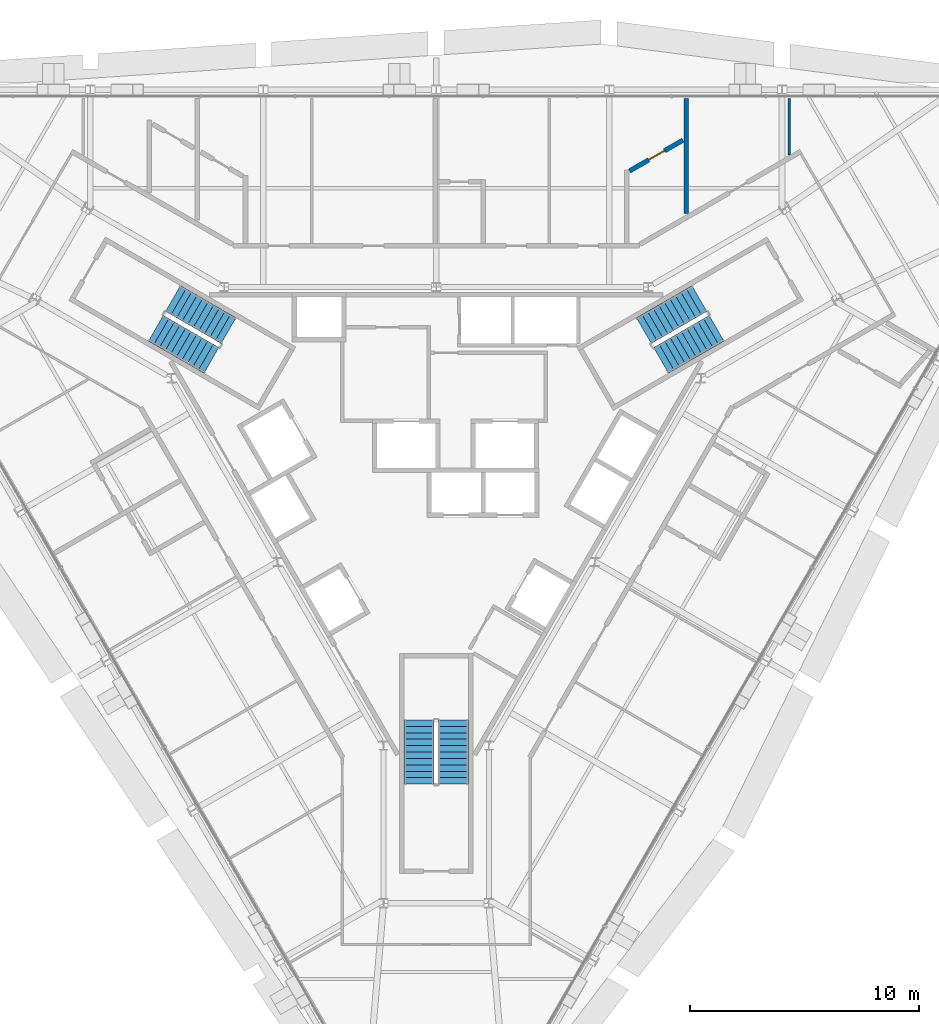
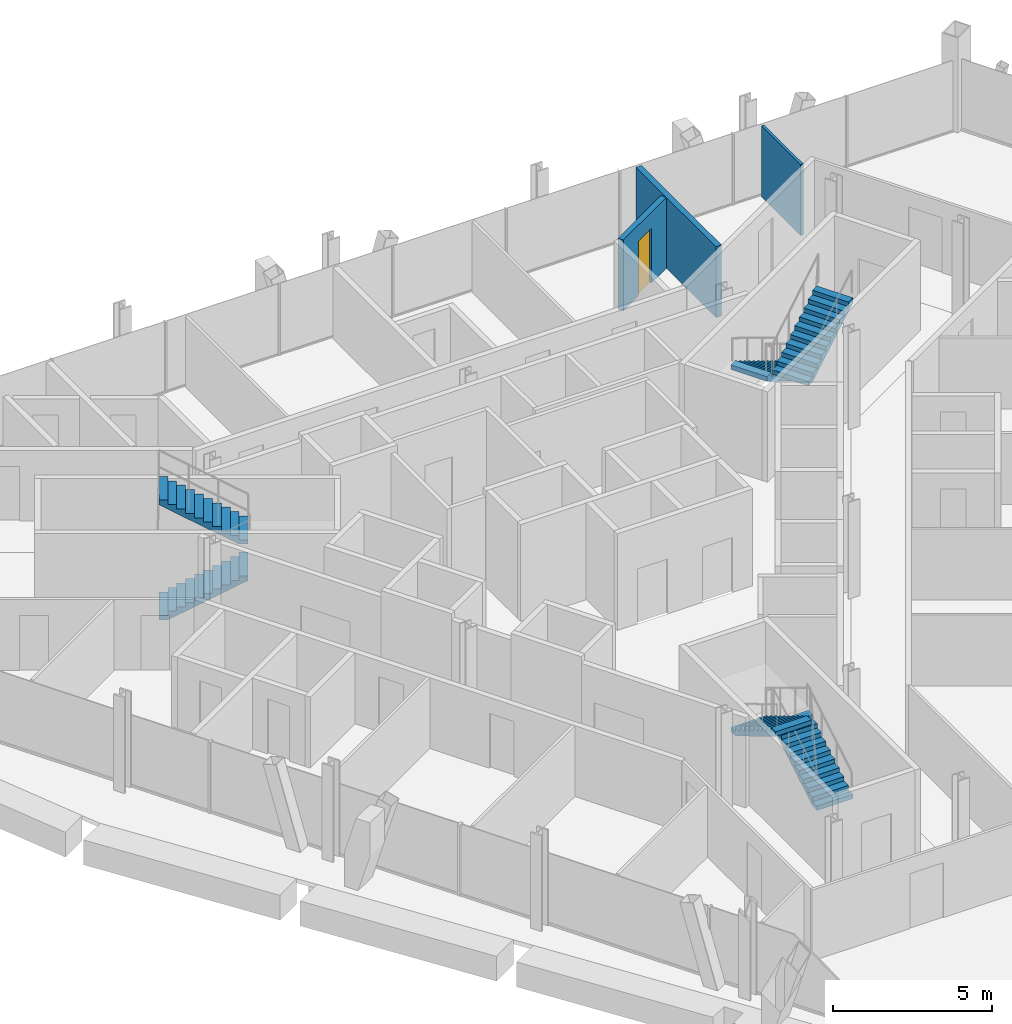
# One storey, part 12 of 13: 6 stair flights, 3 walls, 1 door, 1 opening, 3 elements without a shape of their own.
"""IFC4 building model written with IfcOpenShell, lengths in metres."""

from ifc_helpers import new_model, si_unit, direction, frame, frame_2d, origin, place, context, subcontext, project, spatial, polyline, rectangle, outline, extrude, material, layer, layer_set, type_object, element, fill, aggregate, save


model = new_model("IFC4")

# Units and contexts
model_context = context("Model", 3, precision=1e-05, world=origin(), true_north=direction((0.0, 1.0)))
body_context = subcontext(model_context, "Body", "Model", "MODEL_VIEW")
ifc_project = project(units=[si_unit("LENGTHUNIT", "METRE"), si_unit("AREAUNIT", "SQUARE_METRE"), si_unit("VOLUMEUNIT", "CUBIC_METRE"), si_unit("PLANEANGLEUNIT", "RADIAN"), si_unit("MASSUNIT", "GRAM", prefix="KILO")], contexts=[model_context])

# Site, building, storey
site_placement = place(None, origin())
site = spatial("IfcSite", under=ifc_project, at=site_placement, CompositionType="ELEMENT")
building_placement = place(site_placement, origin())
building = spatial("IfcBuilding", under=site, at=building_placement, Name="Verrane Prism Tower", CompositionType="ELEMENT")
storey_placement = place(building_placement, frame((0.0, 0.0, 152.5)))
storey = spatial("IfcBuildingStorey", under=building, at=storey_placement, Name="L37", CompositionType="ELEMENT", Elevation=152.5)

# Wall
ifc_material_1 = material(Name="Gypsum board partition", Category="other")
ifc_layer_1 = layer(ifc_material_1, 0.10009765625)
ifc_layer_set_1 = layer_set([ifc_layer_1], Name="PW-100 room partition")
wall_type_1 = type_object("IfcWallType", Name="PW-100 room partition", PredefinedType="PARTITIONING", material=ifc_layer_set_1)
wall_1_placement = place(storey_placement, frame((15.4130859375, 13.7744140625, 0.0), z_axis=(0.0, 0.0, 1.0), x_axis=(0.0, 1.0, 0.0)))
element("IfcWall", 1, at=wall_1_placement, inside=storey, type_object=wall_type_1, Name="Room partition 046", PredefinedType="PARTITIONING", context=body_context, shape_type="SweptSolid", body=[
    extrude(rectangle(XDim=2.460693359375, YDim=0.10009765625, at=frame_2d((1.23046875, 0.0))), origin(), (0.0, 0.0, 1.0), 2.712890625),
])

# Wall, opening, door
ifc_material_2 = material(Name="Gypsum board partition", Category="other")
ifc_layer_2 = layer(ifc_material_2, 0.199951171875)
ifc_layer_set_2 = layer_set([ifc_layer_2], Name="PW-200 plumbing wall")
wall_type_2 = type_object("IfcWallType", Name="PW-200 plumbing wall", PredefinedType="PARTITIONING", material=ifc_layer_set_2)
wall_2_placement = place(storey_placement, frame((10.77392578125, 14.41552734375, 0.0), z_axis=(0.0, 0.0, 1.0), x_axis=(-0.866188604127, -0.499717222117, 0.0)))
wall_2 = element("IfcWall", 2, at=wall_2_placement, inside=storey, type_object=wall_type_2, Name="Plumbing wall 035", PredefinedType="PARTITIONING", context=body_context, shape_type="SweptSolid", body=[
    extrude(rectangle(XDim=2.693359375, YDim=0.199951171875, at=frame_2d((1.3466796875, 0.0))), origin(), (0.0, 0.0, 1.0), 2.712890625),
])
opening_placement = place(wall_2_placement, frame((0.928466796875, 0.0, 0.0)))
opening = element("IfcOpeningElement", 3, at=opening_placement, cuts=wall_2, Name="Opening D36012", PredefinedType="OPENING", context=body_context, shape_type="SweptSolid", body=[
    extrude(rectangle(XDim=0.800048828125, YDim=2.10009765625, at=frame_2d((0.39990234375, 1.050048828125))), frame((0.0, 0.10986328125, 0.0), z_axis=(0.0, -1.0, 0.0), x_axis=(1.0, 0.0, 0.0)), (0.0, 0.0, 1.0), 0.219970703125),
])
ifc_material_3 = material(Name="Timber veneered door leaf", Category="wood")
door_type = type_object("IfcDoorType", Name="DR-800x2100 single leaf bath", OperationType="NOTDEFINED", PredefinedType="DOOR", material=ifc_material_3)
door_placement = place(opening_placement, origin())
door = element("IfcDoor", 4, at=door_placement, inside=storey, type_object=door_type, Name="Master Bathroom door", OperationType="SINGLE_SWING_LEFT", OverallHeight=2.10009765625, OverallWidth=0.800048828125, PredefinedType="DOOR", context=body_context, shape_type="SweptSolid", body=[
    extrude(rectangle(XDim=0.800048828125, YDim=2.10009765625, at=frame_2d((0.39990234375, 1.050048828125))), frame((0.0, 0.02490234375, 0.0), z_axis=(0.0, -1.0, 0.0), x_axis=(1.0, 0.0, 0.0)), (0.0, 0.0, 1.0), 0.050048828125),
])
fill(opening, door)

# Wall
wall_3_placement = place(storey_placement, frame((10.924072265625, 11.212158203125, 0.0), z_axis=(0.0, 0.0, 1.0), x_axis=(0.0, 1.0, 0.0)))
element("IfcWall", 5, at=wall_3_placement, inside=storey, type_object=wall_type_2, Name="Plumbing wall 039", PredefinedType="PARTITIONING", context=body_context, shape_type="SweptSolid", body=[
    extrude(rectangle(XDim=5.02294921875, YDim=0.199951171875, at=frame_2d((2.511474609375, 0.0))), origin(), (0.0, 0.0, 1.0), 2.712890625),
])

# Stair, stair flights
ifc_material_4 = material(Name="Concrete C40/50", Category="concrete")
stair_type = type_object("IfcStairType", Name="Exit stair 1300 dog-leg precast concrete C40/50", PredefinedType="HALF_TURN_STAIR", material=ifc_material_4)
stair_1_placement = place(storey_placement, origin())
stair_1 = element("IfcStair", 6, at=stair_1_placement, inside=storey, type_object=stair_type, Name="Stair 1 L37", PredefinedType="HALF_TURN_STAIR")
ifc_material_5 = material(Name="Concrete C40/50", Category="concrete")
stair_flight_type = type_object("IfcStairFlightType", Name="Stair flight 1300 precast concrete C40/50", PredefinedType="STRAIGHT", material=ifc_material_5)
stair_flight_1_placement = place(storey_placement, frame((11.489501953125, 7.49951171875, 0.0), z_axis=(0.0, 0.0, 1.0), x_axis=(-0.866025403784, -0.5, 0.0)))
stair_flight_1 = element("IfcStairFlight", 7, at=stair_flight_1_placement, type_object=stair_flight_type, Name="Stair 1 flight 1", NumberOfRisers=11, NumberOfTreads=10, PredefinedType="STRAIGHT", RiserHeight=0.168181818, TreadLength=0.28, context=body_context, shape_type="SweptSolid", body=[
    extrude(outline(polyline([(0.0, 0.0), (0.0, 0.168212890625), (0.280029296875, 0.168212890625), (0.280029296875, 0.33642578125), (0.56005859375, 0.33642578125), (0.56005859375, 0.504638671875), (0.840087890625, 0.504638671875), (0.840087890625, 0.672607421875), (1.1201171875, 0.672607421875), (1.1201171875, 0.8408203125), (1.39990234375, 0.8408203125), (1.39990234375, 1.009033203125), (1.679931640625, 1.009033203125), (1.679931640625, 1.17724609375), (1.9599609375, 1.17724609375), (1.9599609375, 1.345458984375), (2.239990234375, 1.345458984375), (2.239990234375, 1.513671875), (2.52001953125, 1.513671875), (2.52001953125, 1.681884765625), (2.800048828125, 1.681884765625), (2.800048828125, 1.85009765625), (2.800048828125, 1.5068359375), (0.291015625, 0.0), (0.0, 0.0)])), frame((0.0, 0.64990234375, 0.0), z_axis=(0.0, -1.0, 0.0), x_axis=(1.0, 0.0, 0.0)), (0.0, 0.0, 1.0), 1.300048828125),
])
stair_flight_2_placement = place(storey_placement, frame((9.814697265625, 4.800537109375, 1.85009765625), z_axis=(0.0, 0.0, 1.0), x_axis=(0.866025403784, 0.5, 0.0)))
stair_flight_2 = element("IfcStairFlight", 8, at=stair_flight_2_placement, type_object=stair_flight_type, Name="Stair 1 flight 2", NumberOfRisers=11, NumberOfTreads=10, PredefinedType="STRAIGHT", RiserHeight=0.168181818, TreadLength=0.28, context=body_context, shape_type="SweptSolid", body=[
    extrude(outline(polyline([(0.0, 0.0), (0.0, 0.168212890625), (0.280029296875, 0.168212890625), (0.280029296875, 0.33642578125), (0.56005859375, 0.33642578125), (0.56005859375, 0.504638671875), (0.840087890625, 0.504638671875), (0.840087890625, 0.672607421875), (1.1201171875, 0.672607421875), (1.1201171875, 0.8408203125), (1.39990234375, 0.8408203125), (1.39990234375, 1.009033203125), (1.679931640625, 1.009033203125), (1.679931640625, 1.17724609375), (1.9599609375, 1.17724609375), (1.9599609375, 1.345458984375), (2.239990234375, 1.345458984375), (2.239990234375, 1.513671875), (2.52001953125, 1.513671875), (2.52001953125, 1.681884765625), (2.800048828125, 1.681884765625), (2.800048828125, 1.85009765625), (2.800048828125, 1.5068359375), (0.291015625, 0.0), (0.0, 0.0)])), frame((0.0, 0.64990234375, 0.0), z_axis=(0.0, -1.0, 0.0), x_axis=(1.0, 0.0, 0.0)), (0.0, 0.0, 1.0), 1.300048828125),
])
aggregate(stair_1, [stair_flight_1, stair_flight_2])

stair_2_placement = place(storey_placement, origin())
stair_2 = element("IfcStair", 9, at=stair_2_placement, inside=storey, type_object=stair_type, Name="Stair 2 L37", PredefinedType="HALF_TURN_STAIR")
stair_flight_3_placement = place(storey_placement, frame((-12.239501953125, 6.200439453125, 0.0), z_axis=(0.0, 0.0, 1.0), x_axis=(0.866025403784, -0.5, 0.0)))
stair_flight_3 = element("IfcStairFlight", 10, at=stair_flight_3_placement, type_object=stair_flight_type, Name="Stair 2 flight 1", NumberOfRisers=11, NumberOfTreads=10, PredefinedType="STRAIGHT", RiserHeight=0.168181818, TreadLength=0.28, context=body_context, shape_type="SweptSolid", body=[
    extrude(outline(polyline([(0.0, 0.0), (0.0, 0.168212890625), (0.280029296875, 0.168212890625), (0.280029296875, 0.33642578125), (0.56005859375, 0.33642578125), (0.56005859375, 0.504638671875), (0.840087890625, 0.504638671875), (0.840087890625, 0.672607421875), (1.1201171875, 0.672607421875), (1.1201171875, 0.8408203125), (1.39990234375, 0.8408203125), (1.39990234375, 1.009033203125), (1.679931640625, 1.009033203125), (1.679931640625, 1.17724609375), (1.9599609375, 1.17724609375), (1.9599609375, 1.345458984375), (2.239990234375, 1.345458984375), (2.239990234375, 1.513671875), (2.52001953125, 1.513671875), (2.52001953125, 1.681884765625), (2.800048828125, 1.681884765625), (2.800048828125, 1.85009765625), (2.800048828125, 1.5068359375), (0.291015625, 0.0), (0.0, 0.0)])), frame((0.0, 0.64990234375, 0.0), z_axis=(0.0, -1.0, 0.0), x_axis=(1.0, 0.0, 0.0)), (0.0, 0.0, 1.0), 1.300048828125),
])
stair_flight_4_placement = place(storey_placement, frame((-9.064697265625, 6.099609375, 1.85009765625), z_axis=(0.0, 0.0, 1.0), x_axis=(-0.866025403784, 0.5, 0.0)))
stair_flight_4 = element("IfcStairFlight", 11, at=stair_flight_4_placement, type_object=stair_flight_type, Name="Stair 2 flight 2", NumberOfRisers=11, NumberOfTreads=10, PredefinedType="STRAIGHT", RiserHeight=0.168181818, TreadLength=0.28, context=body_context, shape_type="SweptSolid", body=[
    extrude(outline(polyline([(0.0, 0.0), (0.0, 0.168212890625), (0.280029296875, 0.168212890625), (0.280029296875, 0.33642578125), (0.56005859375, 0.33642578125), (0.56005859375, 0.504638671875), (0.840087890625, 0.504638671875), (0.840087890625, 0.672607421875), (1.1201171875, 0.672607421875), (1.1201171875, 0.8408203125), (1.39990234375, 0.8408203125), (1.39990234375, 1.009033203125), (1.679931640625, 1.009033203125), (1.679931640625, 1.17724609375), (1.9599609375, 1.17724609375), (1.9599609375, 1.345458984375), (2.239990234375, 1.345458984375), (2.239990234375, 1.513671875), (2.52001953125, 1.513671875), (2.52001953125, 1.681884765625), (2.800048828125, 1.681884765625), (2.800048828125, 1.85009765625), (2.800048828125, 1.5068359375), (0.291015625, 0.0), (0.0, 0.0)])), frame((0.0, 0.64990234375, 0.0), z_axis=(0.0, -1.0, 0.0), x_axis=(1.0, 0.0, 0.0)), (0.0, 0.0, 1.0), 1.300048828125),
])
aggregate(stair_2, [stair_flight_3, stair_flight_4])

stair_3_placement = place(storey_placement, origin())
stair_3 = element("IfcStair", 12, at=stair_3_placement, inside=storey, type_object=stair_type, Name="Stair 3 L37", PredefinedType="HALF_TURN_STAIR")
stair_flight_5_placement = place(storey_placement, frame((0.75, -13.699951171875, 0.0), z_axis=(0.0, 0.0, 1.0), x_axis=(0.0, 1.0, 0.0)))
stair_flight_5 = element("IfcStairFlight", 13, at=stair_flight_5_placement, type_object=stair_flight_type, Name="Stair 3 flight 1", NumberOfRisers=11, NumberOfTreads=10, PredefinedType="STRAIGHT", RiserHeight=0.168181818, TreadLength=0.28, context=body_context, shape_type="SweptSolid", body=[
    extrude(outline(polyline([(0.0, 0.0), (0.0, 0.168212890625), (0.280029296875, 0.168212890625), (0.280029296875, 0.33642578125), (0.56005859375, 0.33642578125), (0.56005859375, 0.504638671875), (0.840087890625, 0.504638671875), (0.840087890625, 0.672607421875), (1.1201171875, 0.672607421875), (1.1201171875, 0.8408203125), (1.39990234375, 0.8408203125), (1.39990234375, 1.009033203125), (1.679931640625, 1.009033203125), (1.679931640625, 1.17724609375), (1.9599609375, 1.17724609375), (1.9599609375, 1.345458984375), (2.239990234375, 1.345458984375), (2.239990234375, 1.513671875), (2.52001953125, 1.513671875), (2.52001953125, 1.681884765625), (2.800048828125, 1.681884765625), (2.800048828125, 1.85009765625), (2.800048828125, 1.5068359375), (0.291015625, 0.0), (0.0, 0.0)])), frame((0.0, 0.64990234375, 0.0), z_axis=(0.0, -1.0, 0.0), x_axis=(1.0, 0.0, 0.0)), (0.0, 0.0, 1.0), 1.300048828125),
])
stair_flight_6_placement = place(storey_placement, frame((-0.75, -10.89990234375, 1.85009765625), z_axis=(0.0, 0.0, 1.0), x_axis=(0.0, -1.0, 0.0)))
stair_flight_6 = element("IfcStairFlight", 14, at=stair_flight_6_placement, type_object=stair_flight_type, Name="Stair 3 flight 2", NumberOfRisers=11, NumberOfTreads=10, PredefinedType="STRAIGHT", RiserHeight=0.168181818, TreadLength=0.28, context=body_context, shape_type="SweptSolid", body=[
    extrude(outline(polyline([(0.0, 0.0), (0.0, 0.168212890625), (0.280029296875, 0.168212890625), (0.280029296875, 0.33642578125), (0.56005859375, 0.33642578125), (0.56005859375, 0.504638671875), (0.840087890625, 0.504638671875), (0.840087890625, 0.672607421875), (1.1201171875, 0.672607421875), (1.1201171875, 0.8408203125), (1.39990234375, 0.8408203125), (1.39990234375, 1.009033203125), (1.679931640625, 1.009033203125), (1.679931640625, 1.17724609375), (1.9599609375, 1.17724609375), (1.9599609375, 1.345458984375), (2.239990234375, 1.345458984375), (2.239990234375, 1.513671875), (2.52001953125, 1.513671875), (2.52001953125, 1.681884765625), (2.800048828125, 1.681884765625), (2.800048828125, 1.85009765625), (2.800048828125, 1.5068359375), (0.291015625, 0.0), (0.0, 0.0)])), frame((0.0, 0.64990234375, 0.0), z_axis=(0.0, -1.0, 0.0), x_axis=(1.0, 0.0, 0.0)), (0.0, 0.0, 1.0), 1.300048828125),
])
aggregate(stair_3, [stair_flight_5, stair_flight_6])

save(model, "model.ifc")
